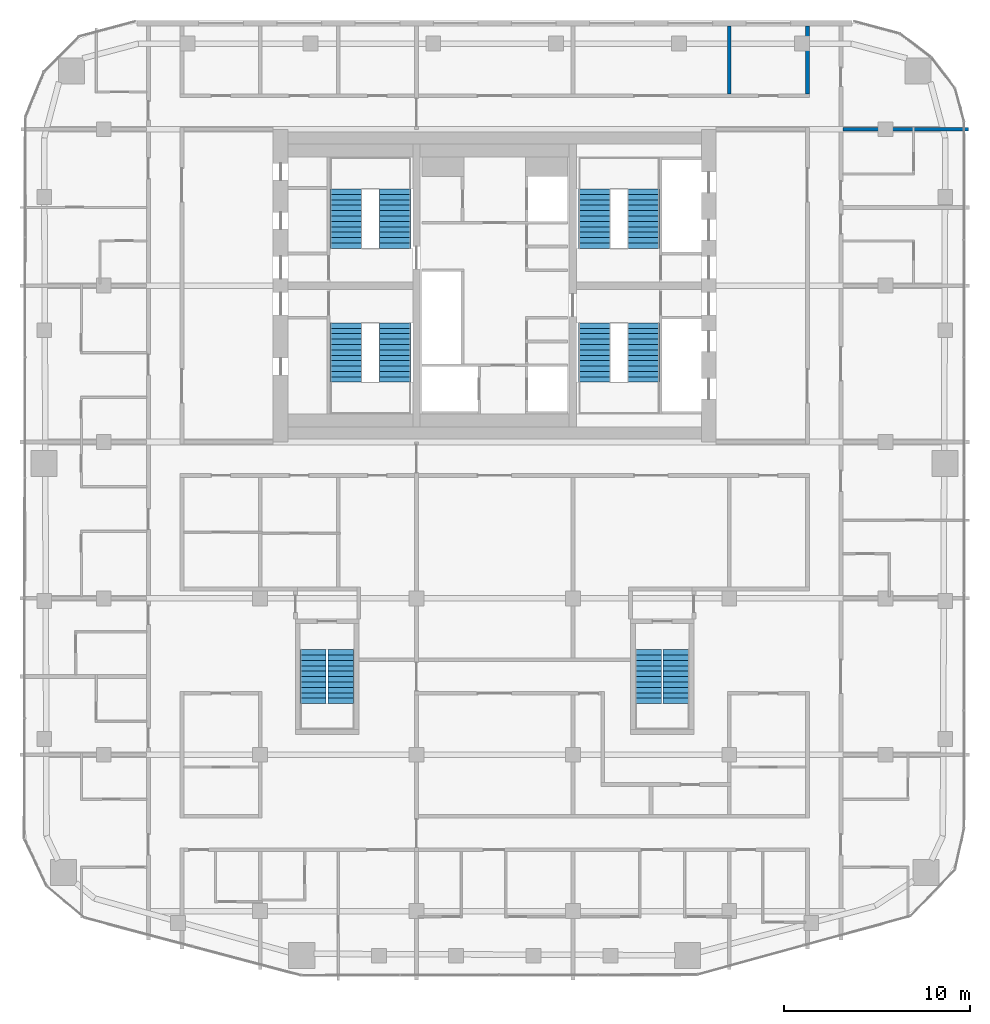
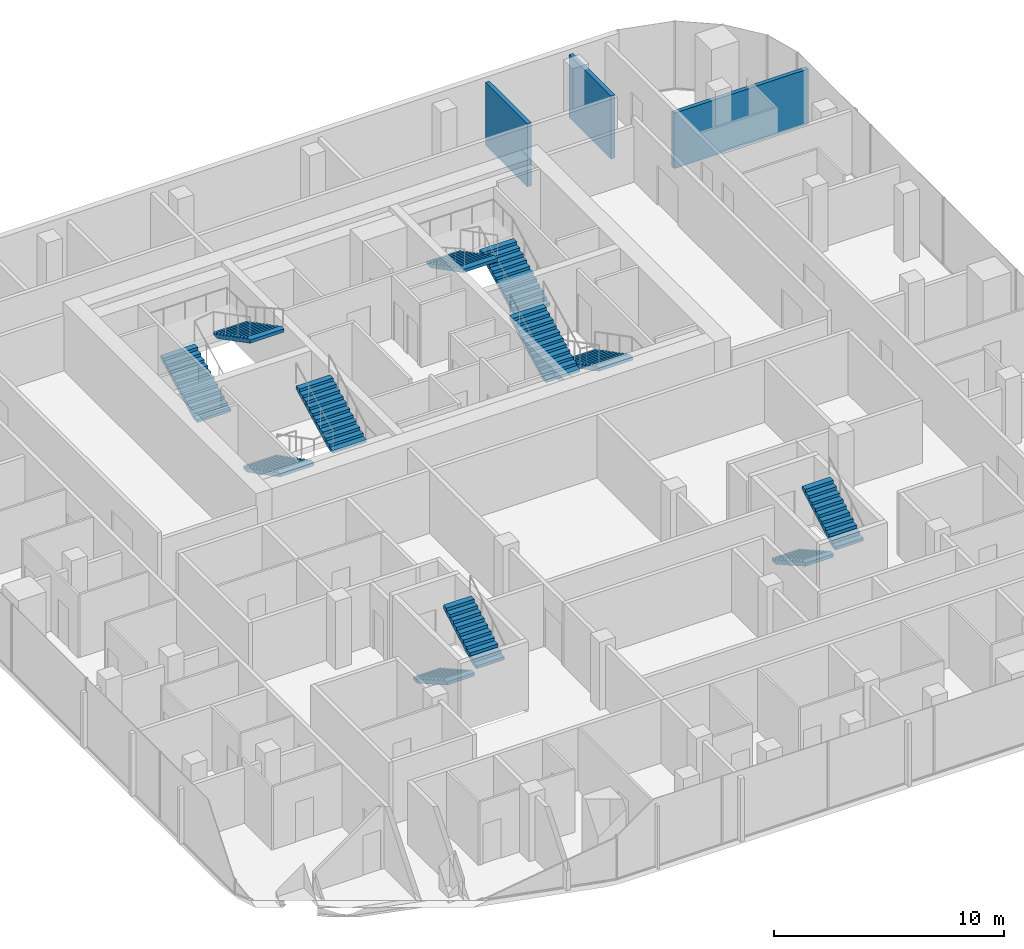
# One storey, part 20 of 21: 12 stair flights, 3 walls, 6 elements without a shape of their own.
"""IFC4 building model written with IfcOpenShell, lengths in metres."""

from ifc_helpers import new_model, si_unit, direction, frame, frame_2d, origin, place, context, subcontext, project, spatial, polyline, rectangle, outline, extrude, material, layer, layer_set, type_object, element, aggregate, save


model = new_model("IFC4")

# Units and contexts
model_context = context("Model", 3, precision=1e-05, world=origin(), true_north=direction((0.0, 1.0)))
body_context = subcontext(model_context, "Body", "Model", "MODEL_VIEW")
ifc_project = project(units=[si_unit("LENGTHUNIT", "METRE"), si_unit("AREAUNIT", "SQUARE_METRE"), si_unit("VOLUMEUNIT", "CUBIC_METRE"), si_unit("PLANEANGLEUNIT", "RADIAN"), si_unit("MASSUNIT", "GRAM", prefix="KILO")], contexts=[model_context])

# Site, building, storey
site_placement = place(None, origin())
site = spatial("IfcSite", under=ifc_project, at=site_placement, CompositionType="ELEMENT")
building_placement = place(site_placement, origin())
building = spatial("IfcBuilding", under=site, at=building_placement, Name="Marenta Gate Hotel Tower", CompositionType="ELEMENT")
storey_placement = place(building_placement, frame((0.0, 0.0, 202.10009765625)))
storey = spatial("IfcBuildingStorey", under=building, at=storey_placement, Name="L46", CompositionType="ELEMENT", Elevation=202.10009765625)

# Walls
ifc_material_1 = material(Name="Gypsum board on steel stud", Category="steel")
ifc_layer_1 = layer(ifc_material_1, 0.199951171875)
ifc_layer_set_1 = layer_set([ifc_layer_1], Name="Gypsum board on steel stud")
wall_type_1 = type_object("IfcWallType", Name="Room corridor wall 200 EI 60", PredefinedType="PARTITIONING", material=ifc_layer_set_1)
wall_1_placement = place(storey_placement, frame((16.800048828125, 18.699951171875, 0.0), z_axis=(0.0, 0.0, 1.0), x_axis=(0.0, 1.0, 0.0)))
element("IfcWall", 1, at=wall_1_placement, inside=storey, type_object=wall_type_1, Name="L46-PTN-W026", PredefinedType="PARTITIONING", context=body_context, shape_type="SweptSolid", body=[
    extrude(rectangle(XDim=3.64013671875, YDim=0.199951171875, at=frame_2d((1.820068359375, 0.0))), origin(), (0.0, 0.0, 1.0), 3.33984375),
])
ifc_material_2 = material(Name="Gypsum board on steel stud", Category="steel")
ifc_layer_2 = layer(ifc_material_2, 0.199951171875)
ifc_layer_set_2 = layer_set([ifc_layer_2], Name="Gypsum board on steel stud")
wall_type_2 = type_object("IfcWallType", Name="Room party wall 200 EI 60", PredefinedType="PARTITIONING", material=ifc_layer_set_2)
wall_2_placement = place(storey_placement, frame((12.60009765625, 18.699951171875, 0.0), z_axis=(0.0, 0.0, 1.0), x_axis=(0.0, 1.0, 0.0)))
element("IfcWall", 2, at=wall_2_placement, inside=storey, type_object=wall_type_2, Name="L46-PTN-W037", PredefinedType="PARTITIONING", context=body_context, shape_type="SweptSolid", body=[
    extrude(rectangle(XDim=3.64013671875, YDim=0.199951171875, at=frame_2d((1.820068359375, 0.0))), origin(), (0.0, 0.0, 1.0), 3.33984375),
])
wall_3_placement = place(storey_placement, frame((18.699951171875, 16.800048828125, 0.0), z_axis=(0.0, 0.0, 1.0), x_axis=(1.0, 0.0, 0.0)))
element("IfcWall", 3, at=wall_3_placement, inside=storey, type_object=wall_type_2, Name="L46-PTN-W098", PredefinedType="PARTITIONING", context=body_context, shape_type="SweptSolid", body=[
    extrude(rectangle(XDim=6.7470703125, YDim=0.199951171875, at=frame_2d((3.37353515625, 0.0))), origin(), (0.0, 0.0, 1.0), 2.93994140625),
])

# Stair, stair flights
ifc_material_3 = material(Name="Concrete C40", Category="concrete")
stair_type_1 = type_object("IfcStairType", Name="Core exit stair 1700 wide", PredefinedType="HALF_TURN_STAIR", material=ifc_material_3)
stair_1_placement = place(storey_placement, origin())
stair_1 = element("IfcStair", 4, at=stair_1_placement, inside=storey, type_object=stair_type_1, Name="Exit stair 1", PredefinedType="HALF_TURN_STAIR")
ifc_material_4 = material(Name="Concrete C40", Category="concrete")
stair_flight_type_1 = type_object("IfcStairFlightType", Name="Core stair flight 1700 riser 150.0 going 290", PredefinedType="STRAIGHT", material=ifc_material_4)
stair_flight_1_placement = place(storey_placement, frame((-8.0, 6.39990234375, 0.0), z_axis=(0.0, 0.0, 1.0), x_axis=(0.0, -1.0, 0.0)))
stair_flight_1 = element("IfcStairFlight", 5, at=stair_flight_1_placement, type_object=stair_flight_type_1, Name="ST1 flight 1", NumberOfRisers=12, NumberOfTreads=11, PredefinedType="STRAIGHT", RiserHeight=0.15, TreadLength=0.29, context=body_context, shape_type="SweptSolid", body=[
    extrude(outline(polyline([(0.0, 0.0), (0.0, 0.14990234375), (0.2900390625, 0.14990234375), (0.2900390625, 0.300048828125), (0.580078125, 0.300048828125), (0.580078125, 0.449951171875), (0.8701171875, 0.449951171875), (0.8701171875, 0.60009765625), (1.159912109375, 0.60009765625), (1.159912109375, 0.75), (1.449951171875, 0.75), (1.449951171875, 0.89990234375), (1.739990234375, 0.89990234375), (1.739990234375, 1.050048828125), (2.030029296875, 1.050048828125), (2.030029296875, 1.199951171875), (2.320068359375, 1.199951171875), (2.320068359375, 1.35009765625), (2.610107421875, 1.35009765625), (2.610107421875, 1.5), (2.89990234375, 1.5), (2.89990234375, 1.64990234375), (3.18994140625, 1.64990234375), (3.18994140625, 1.800048828125), (3.18994140625, 1.481201171875), (0.326171875, 0.0), (0.0, 0.0)])), frame((0.0, 0.85009765625, 0.0), z_axis=(0.0, -1.0, 0.0), x_axis=(1.0, 0.0, 0.0)), (0.0, 0.0, 1.0), 1.699951171875),
])
stair_flight_2_placement = place(storey_placement, frame((-5.35009765625, 3.2099609375, 1.7998046875), z_axis=(0.0, 0.0, 1.0), x_axis=(0.0, 1.0, 0.0)))
stair_flight_2 = element("IfcStairFlight", 6, at=stair_flight_2_placement, type_object=stair_flight_type_1, Name="ST1 flight 2", NumberOfRisers=12, NumberOfTreads=11, PredefinedType="STRAIGHT", RiserHeight=0.15, TreadLength=0.29, context=body_context, shape_type="SweptSolid", body=[
    extrude(outline(polyline([(0.0, 0.0), (0.0, 0.14990234375), (0.2900390625, 0.14990234375), (0.2900390625, 0.300048828125), (0.580078125, 0.300048828125), (0.580078125, 0.449951171875), (0.8701171875, 0.449951171875), (0.8701171875, 0.60009765625), (1.159912109375, 0.60009765625), (1.159912109375, 0.75), (1.449951171875, 0.75), (1.449951171875, 0.89990234375), (1.739990234375, 0.89990234375), (1.739990234375, 1.050048828125), (2.030029296875, 1.050048828125), (2.030029296875, 1.199951171875), (2.320068359375, 1.199951171875), (2.320068359375, 1.35009765625), (2.610107421875, 1.35009765625), (2.610107421875, 1.5), (2.89990234375, 1.5), (2.89990234375, 1.64990234375), (3.18994140625, 1.64990234375), (3.18994140625, 1.800048828125), (3.18994140625, 1.481201171875), (0.326171875, 0.0), (0.0, 0.0)])), frame((0.0, 0.85009765625, 0.0), z_axis=(0.0, -1.0, 0.0), x_axis=(1.0, 0.0, 0.0)), (0.0, 0.0, 1.0), 1.699951171875),
])
aggregate(stair_1, [stair_flight_1, stair_flight_2])

stair_2_placement = place(storey_placement, origin())
stair_2 = element("IfcStair", 7, at=stair_2_placement, inside=storey, type_object=stair_type_1, Name="Exit stair 2", PredefinedType="HALF_TURN_STAIR")
stair_flight_3_placement = place(storey_placement, frame((-8.0, 10.39990234375, 0.0), z_axis=(0.0, 0.0, 1.0), x_axis=(0.0, 1.0, 0.0)))
stair_flight_3 = element("IfcStairFlight", 8, at=stair_flight_3_placement, type_object=stair_flight_type_1, Name="ST2 flight 1", NumberOfRisers=12, NumberOfTreads=11, PredefinedType="STRAIGHT", RiserHeight=0.15, TreadLength=0.29, context=body_context, shape_type="SweptSolid", body=[
    extrude(outline(polyline([(0.0, 0.0), (0.0, 0.14990234375), (0.2900390625, 0.14990234375), (0.2900390625, 0.300048828125), (0.580078125, 0.300048828125), (0.580078125, 0.449951171875), (0.8701171875, 0.449951171875), (0.8701171875, 0.60009765625), (1.159912109375, 0.60009765625), (1.159912109375, 0.75), (1.449951171875, 0.75), (1.449951171875, 0.89990234375), (1.739990234375, 0.89990234375), (1.739990234375, 1.050048828125), (2.030029296875, 1.050048828125), (2.030029296875, 1.199951171875), (2.320068359375, 1.199951171875), (2.320068359375, 1.35009765625), (2.610107421875, 1.35009765625), (2.610107421875, 1.5), (2.89990234375, 1.5), (2.89990234375, 1.64990234375), (3.18994140625, 1.64990234375), (3.18994140625, 1.800048828125), (3.18994140625, 1.481201171875), (0.326171875, 0.0), (0.0, 0.0)])), frame((0.0, 0.85009765625, 0.0), z_axis=(0.0, -1.0, 0.0), x_axis=(1.0, 0.0, 0.0)), (0.0, 0.0, 1.0), 1.699951171875),
])
stair_flight_4_placement = place(storey_placement, frame((-5.35009765625, 13.590087890625, 1.7998046875), z_axis=(0.0, 0.0, 1.0), x_axis=(0.0, -1.0, 0.0)))
stair_flight_4 = element("IfcStairFlight", 9, at=stair_flight_4_placement, type_object=stair_flight_type_1, Name="ST2 flight 2", NumberOfRisers=12, NumberOfTreads=11, PredefinedType="STRAIGHT", RiserHeight=0.15, TreadLength=0.29, context=body_context, shape_type="SweptSolid", body=[
    extrude(outline(polyline([(0.0, 0.0), (0.0, 0.14990234375), (0.2900390625, 0.14990234375), (0.2900390625, 0.300048828125), (0.580078125, 0.300048828125), (0.580078125, 0.449951171875), (0.8701171875, 0.449951171875), (0.8701171875, 0.60009765625), (1.159912109375, 0.60009765625), (1.159912109375, 0.75), (1.449951171875, 0.75), (1.449951171875, 0.89990234375), (1.739990234375, 0.89990234375), (1.739990234375, 1.050048828125), (2.030029296875, 1.050048828125), (2.030029296875, 1.199951171875), (2.320068359375, 1.199951171875), (2.320068359375, 1.35009765625), (2.610107421875, 1.35009765625), (2.610107421875, 1.5), (2.89990234375, 1.5), (2.89990234375, 1.64990234375), (3.18994140625, 1.64990234375), (3.18994140625, 1.800048828125), (3.18994140625, 1.481201171875), (0.326171875, 0.0), (0.0, 0.0)])), frame((0.0, 0.85009765625, 0.0), z_axis=(0.0, -1.0, 0.0), x_axis=(1.0, 0.0, 0.0)), (0.0, 0.0, 1.0), 1.699951171875),
])
aggregate(stair_2, [stair_flight_3, stair_flight_4])

stair_3_placement = place(storey_placement, origin())
stair_3 = element("IfcStair", 10, at=stair_3_placement, inside=storey, type_object=stair_type_1, Name="Exit stair 3", PredefinedType="HALF_TURN_STAIR")
stair_flight_5_placement = place(storey_placement, frame((8.0, 6.39990234375, 0.0), z_axis=(0.0, 0.0, 1.0), x_axis=(0.0, -1.0, 0.0)))
stair_flight_5 = element("IfcStairFlight", 11, at=stair_flight_5_placement, type_object=stair_flight_type_1, Name="ST3 flight 1", NumberOfRisers=12, NumberOfTreads=11, PredefinedType="STRAIGHT", RiserHeight=0.15, TreadLength=0.29, context=body_context, shape_type="SweptSolid", body=[
    extrude(outline(polyline([(0.0, 0.0), (0.0, 0.14990234375), (0.2900390625, 0.14990234375), (0.2900390625, 0.300048828125), (0.580078125, 0.300048828125), (0.580078125, 0.449951171875), (0.8701171875, 0.449951171875), (0.8701171875, 0.60009765625), (1.159912109375, 0.60009765625), (1.159912109375, 0.75), (1.449951171875, 0.75), (1.449951171875, 0.89990234375), (1.739990234375, 0.89990234375), (1.739990234375, 1.050048828125), (2.030029296875, 1.050048828125), (2.030029296875, 1.199951171875), (2.320068359375, 1.199951171875), (2.320068359375, 1.35009765625), (2.610107421875, 1.35009765625), (2.610107421875, 1.5), (2.89990234375, 1.5), (2.89990234375, 1.64990234375), (3.18994140625, 1.64990234375), (3.18994140625, 1.800048828125), (3.18994140625, 1.481201171875), (0.326171875, 0.0), (0.0, 0.0)])), frame((0.0, 0.85009765625, 0.0), z_axis=(0.0, -1.0, 0.0), x_axis=(1.0, 0.0, 0.0)), (0.0, 0.0, 1.0), 1.699951171875),
])
stair_flight_6_placement = place(storey_placement, frame((5.35009765625, 3.2099609375, 1.7998046875), z_axis=(0.0, 0.0, 1.0), x_axis=(0.0, 1.0, 0.0)))
stair_flight_6 = element("IfcStairFlight", 12, at=stair_flight_6_placement, type_object=stair_flight_type_1, Name="ST3 flight 2", NumberOfRisers=12, NumberOfTreads=11, PredefinedType="STRAIGHT", RiserHeight=0.15, TreadLength=0.29, context=body_context, shape_type="SweptSolid", body=[
    extrude(outline(polyline([(0.0, 0.0), (0.0, 0.14990234375), (0.2900390625, 0.14990234375), (0.2900390625, 0.300048828125), (0.580078125, 0.300048828125), (0.580078125, 0.449951171875), (0.8701171875, 0.449951171875), (0.8701171875, 0.60009765625), (1.159912109375, 0.60009765625), (1.159912109375, 0.75), (1.449951171875, 0.75), (1.449951171875, 0.89990234375), (1.739990234375, 0.89990234375), (1.739990234375, 1.050048828125), (2.030029296875, 1.050048828125), (2.030029296875, 1.199951171875), (2.320068359375, 1.199951171875), (2.320068359375, 1.35009765625), (2.610107421875, 1.35009765625), (2.610107421875, 1.5), (2.89990234375, 1.5), (2.89990234375, 1.64990234375), (3.18994140625, 1.64990234375), (3.18994140625, 1.800048828125), (3.18994140625, 1.481201171875), (0.326171875, 0.0), (0.0, 0.0)])), frame((0.0, 0.85009765625, 0.0), z_axis=(0.0, -1.0, 0.0), x_axis=(1.0, 0.0, 0.0)), (0.0, 0.0, 1.0), 1.699951171875),
])
aggregate(stair_3, [stair_flight_5, stair_flight_6])

stair_4_placement = place(storey_placement, origin())
stair_4 = element("IfcStair", 13, at=stair_4_placement, inside=storey, type_object=stair_type_1, Name="Exit stair 4", PredefinedType="HALF_TURN_STAIR")
stair_flight_7_placement = place(storey_placement, frame((8.0, 10.39990234375, 0.0), z_axis=(0.0, 0.0, 1.0), x_axis=(0.0, 1.0, 0.0)))
stair_flight_7 = element("IfcStairFlight", 14, at=stair_flight_7_placement, type_object=stair_flight_type_1, Name="ST4 flight 1", NumberOfRisers=12, NumberOfTreads=11, PredefinedType="STRAIGHT", RiserHeight=0.15, TreadLength=0.29, context=body_context, shape_type="SweptSolid", body=[
    extrude(outline(polyline([(0.0, 0.0), (0.0, 0.14990234375), (0.2900390625, 0.14990234375), (0.2900390625, 0.300048828125), (0.580078125, 0.300048828125), (0.580078125, 0.449951171875), (0.8701171875, 0.449951171875), (0.8701171875, 0.60009765625), (1.159912109375, 0.60009765625), (1.159912109375, 0.75), (1.449951171875, 0.75), (1.449951171875, 0.89990234375), (1.739990234375, 0.89990234375), (1.739990234375, 1.050048828125), (2.030029296875, 1.050048828125), (2.030029296875, 1.199951171875), (2.320068359375, 1.199951171875), (2.320068359375, 1.35009765625), (2.610107421875, 1.35009765625), (2.610107421875, 1.5), (2.89990234375, 1.5), (2.89990234375, 1.64990234375), (3.18994140625, 1.64990234375), (3.18994140625, 1.800048828125), (3.18994140625, 1.481201171875), (0.326171875, 0.0), (0.0, 0.0)])), frame((0.0, 0.85009765625, 0.0), z_axis=(0.0, -1.0, 0.0), x_axis=(1.0, 0.0, 0.0)), (0.0, 0.0, 1.0), 1.699951171875),
])
stair_flight_8_placement = place(storey_placement, frame((5.35009765625, 13.590087890625, 1.7998046875), z_axis=(0.0, 0.0, 1.0), x_axis=(0.0, -1.0, 0.0)))
stair_flight_8 = element("IfcStairFlight", 15, at=stair_flight_8_placement, type_object=stair_flight_type_1, Name="ST4 flight 2", NumberOfRisers=12, NumberOfTreads=11, PredefinedType="STRAIGHT", RiserHeight=0.15, TreadLength=0.29, context=body_context, shape_type="SweptSolid", body=[
    extrude(outline(polyline([(0.0, 0.0), (0.0, 0.14990234375), (0.2900390625, 0.14990234375), (0.2900390625, 0.300048828125), (0.580078125, 0.300048828125), (0.580078125, 0.449951171875), (0.8701171875, 0.449951171875), (0.8701171875, 0.60009765625), (1.159912109375, 0.60009765625), (1.159912109375, 0.75), (1.449951171875, 0.75), (1.449951171875, 0.89990234375), (1.739990234375, 0.89990234375), (1.739990234375, 1.050048828125), (2.030029296875, 1.050048828125), (2.030029296875, 1.199951171875), (2.320068359375, 1.199951171875), (2.320068359375, 1.35009765625), (2.610107421875, 1.35009765625), (2.610107421875, 1.5), (2.89990234375, 1.5), (2.89990234375, 1.64990234375), (3.18994140625, 1.64990234375), (3.18994140625, 1.800048828125), (3.18994140625, 1.481201171875), (0.326171875, 0.0), (0.0, 0.0)])), frame((0.0, 0.85009765625, 0.0), z_axis=(0.0, -1.0, 0.0), x_axis=(1.0, 0.0, 0.0)), (0.0, 0.0, 1.0), 1.699951171875),
])
aggregate(stair_4, [stair_flight_7, stair_flight_8])

ifc_material_5 = material(Name="Concrete C40", Category="concrete")
stair_type_2 = type_object("IfcStairType", Name="Remote exit stair 1400 wide", PredefinedType="HALF_TURN_STAIR", material=ifc_material_5)
stair_5_placement = place(storey_placement, origin())
stair_5 = element("IfcStair", 16, at=stair_5_placement, inside=storey, type_object=stair_type_2, Name="Exit stair RS-Z3-1", PredefinedType="HALF_TURN_STAIR")
ifc_material_6 = material(Name="Concrete C40", Category="concrete")
stair_flight_type_2 = type_object("IfcStairFlightType", Name="Remote stair flight 1400 riser 163.6 going 290", PredefinedType="STRAIGHT", material=ifc_material_6)
stair_flight_9_placement = place(storey_placement, frame((-9.75, -11.14990234375, 0.0), z_axis=(0.0, 0.0, 1.0), x_axis=(0.0, -1.0, 0.0)))
stair_flight_9 = element("IfcStairFlight", 17, at=stair_flight_9_placement, type_object=stair_flight_type_2, Name="RS-Z3-1 flight 1", NumberOfRisers=11, NumberOfTreads=10, PredefinedType="STRAIGHT", RiserHeight=0.163636, TreadLength=0.29, context=body_context, shape_type="SweptSolid", body=[
    extrude(outline(polyline([(0.0, 0.0), (0.0, 0.16357421875), (0.2900390625, 0.16357421875), (0.2900390625, 0.327392578125), (0.580078125, 0.327392578125), (0.580078125, 0.490966796875), (0.8701171875, 0.490966796875), (0.8701171875, 0.654541015625), (1.159912109375, 0.654541015625), (1.159912109375, 0.818115234375), (1.449951171875, 0.818115234375), (1.449951171875, 0.98193359375), (1.739990234375, 0.98193359375), (1.739990234375, 1.1455078125), (2.030029296875, 1.1455078125), (2.030029296875, 1.30908203125), (2.320068359375, 1.30908203125), (2.320068359375, 1.47265625), (2.610107421875, 1.47265625), (2.610107421875, 1.636474609375), (2.89990234375, 1.636474609375), (2.89990234375, 1.800048828125), (2.89990234375, 1.46435546875), (0.304931640625, 0.0), (0.0, 0.0)])), frame((0.0, 0.699951171875, 0.0), z_axis=(0.0, -1.0, 0.0), x_axis=(1.0, 0.0, 0.0)), (0.0, 0.0, 1.0), 1.39990234375),
])
stair_flight_10_placement = place(storey_placement, frame((-8.25, -14.050048828125, 1.7998046875), z_axis=(0.0, 0.0, 1.0), x_axis=(0.0, 1.0, 0.0)))
stair_flight_10 = element("IfcStairFlight", 18, at=stair_flight_10_placement, type_object=stair_flight_type_2, Name="RS-Z3-1 flight 2", NumberOfRisers=11, NumberOfTreads=10, PredefinedType="STRAIGHT", RiserHeight=0.163636, TreadLength=0.29, context=body_context, shape_type="SweptSolid", body=[
    extrude(outline(polyline([(0.0, 0.0), (0.0, 0.16357421875), (0.2900390625, 0.16357421875), (0.2900390625, 0.327392578125), (0.580078125, 0.327392578125), (0.580078125, 0.490966796875), (0.8701171875, 0.490966796875), (0.8701171875, 0.654541015625), (1.159912109375, 0.654541015625), (1.159912109375, 0.818115234375), (1.449951171875, 0.818115234375), (1.449951171875, 0.98193359375), (1.739990234375, 0.98193359375), (1.739990234375, 1.1455078125), (2.030029296875, 1.1455078125), (2.030029296875, 1.30908203125), (2.320068359375, 1.30908203125), (2.320068359375, 1.47265625), (2.610107421875, 1.47265625), (2.610107421875, 1.636474609375), (2.89990234375, 1.636474609375), (2.89990234375, 1.800048828125), (2.89990234375, 1.46435546875), (0.304931640625, 0.0), (0.0, 0.0)])), frame((0.0, 0.699951171875, 0.0), z_axis=(0.0, -1.0, 0.0), x_axis=(1.0, 0.0, 0.0)), (0.0, 0.0, 1.0), 1.39990234375),
])
aggregate(stair_5, [stair_flight_9, stair_flight_10])

stair_6_placement = place(storey_placement, origin())
stair_6 = element("IfcStair", 19, at=stair_6_placement, inside=storey, type_object=stair_type_2, Name="Exit stair RS-Z3-2", PredefinedType="HALF_TURN_STAIR")
stair_flight_11_placement = place(storey_placement, frame((8.25, -11.14990234375, 0.0), z_axis=(0.0, 0.0, 1.0), x_axis=(0.0, -1.0, 0.0)))
stair_flight_11 = element("IfcStairFlight", 20, at=stair_flight_11_placement, type_object=stair_flight_type_2, Name="RS-Z3-2 flight 1", NumberOfRisers=11, NumberOfTreads=10, PredefinedType="STRAIGHT", RiserHeight=0.163636, TreadLength=0.29, context=body_context, shape_type="SweptSolid", body=[
    extrude(outline(polyline([(0.0, 0.0), (0.0, 0.16357421875), (0.2900390625, 0.16357421875), (0.2900390625, 0.327392578125), (0.580078125, 0.327392578125), (0.580078125, 0.490966796875), (0.8701171875, 0.490966796875), (0.8701171875, 0.654541015625), (1.159912109375, 0.654541015625), (1.159912109375, 0.818115234375), (1.449951171875, 0.818115234375), (1.449951171875, 0.98193359375), (1.739990234375, 0.98193359375), (1.739990234375, 1.1455078125), (2.030029296875, 1.1455078125), (2.030029296875, 1.30908203125), (2.320068359375, 1.30908203125), (2.320068359375, 1.47265625), (2.610107421875, 1.47265625), (2.610107421875, 1.636474609375), (2.89990234375, 1.636474609375), (2.89990234375, 1.800048828125), (2.89990234375, 1.46435546875), (0.304931640625, 0.0), (0.0, 0.0)])), frame((0.0, 0.699951171875, 0.0), z_axis=(0.0, -1.0, 0.0), x_axis=(1.0, 0.0, 0.0)), (0.0, 0.0, 1.0), 1.39990234375),
])
stair_flight_12_placement = place(storey_placement, frame((9.75, -14.050048828125, 1.7998046875), z_axis=(0.0, 0.0, 1.0), x_axis=(0.0, 1.0, 0.0)))
stair_flight_12 = element("IfcStairFlight", 21, at=stair_flight_12_placement, type_object=stair_flight_type_2, Name="RS-Z3-2 flight 2", NumberOfRisers=11, NumberOfTreads=10, PredefinedType="STRAIGHT", RiserHeight=0.163636, TreadLength=0.29, context=body_context, shape_type="SweptSolid", body=[
    extrude(outline(polyline([(0.0, 0.0), (0.0, 0.16357421875), (0.2900390625, 0.16357421875), (0.2900390625, 0.327392578125), (0.580078125, 0.327392578125), (0.580078125, 0.490966796875), (0.8701171875, 0.490966796875), (0.8701171875, 0.654541015625), (1.159912109375, 0.654541015625), (1.159912109375, 0.818115234375), (1.449951171875, 0.818115234375), (1.449951171875, 0.98193359375), (1.739990234375, 0.98193359375), (1.739990234375, 1.1455078125), (2.030029296875, 1.1455078125), (2.030029296875, 1.30908203125), (2.320068359375, 1.30908203125), (2.320068359375, 1.47265625), (2.610107421875, 1.47265625), (2.610107421875, 1.636474609375), (2.89990234375, 1.636474609375), (2.89990234375, 1.800048828125), (2.89990234375, 1.46435546875), (0.304931640625, 0.0), (0.0, 0.0)])), frame((0.0, 0.699951171875, 0.0), z_axis=(0.0, -1.0, 0.0), x_axis=(1.0, 0.0, 0.0)), (0.0, 0.0, 1.0), 1.39990234375),
])
aggregate(stair_6, [stair_flight_11, stair_flight_12])

save(model, "model.ifc")
